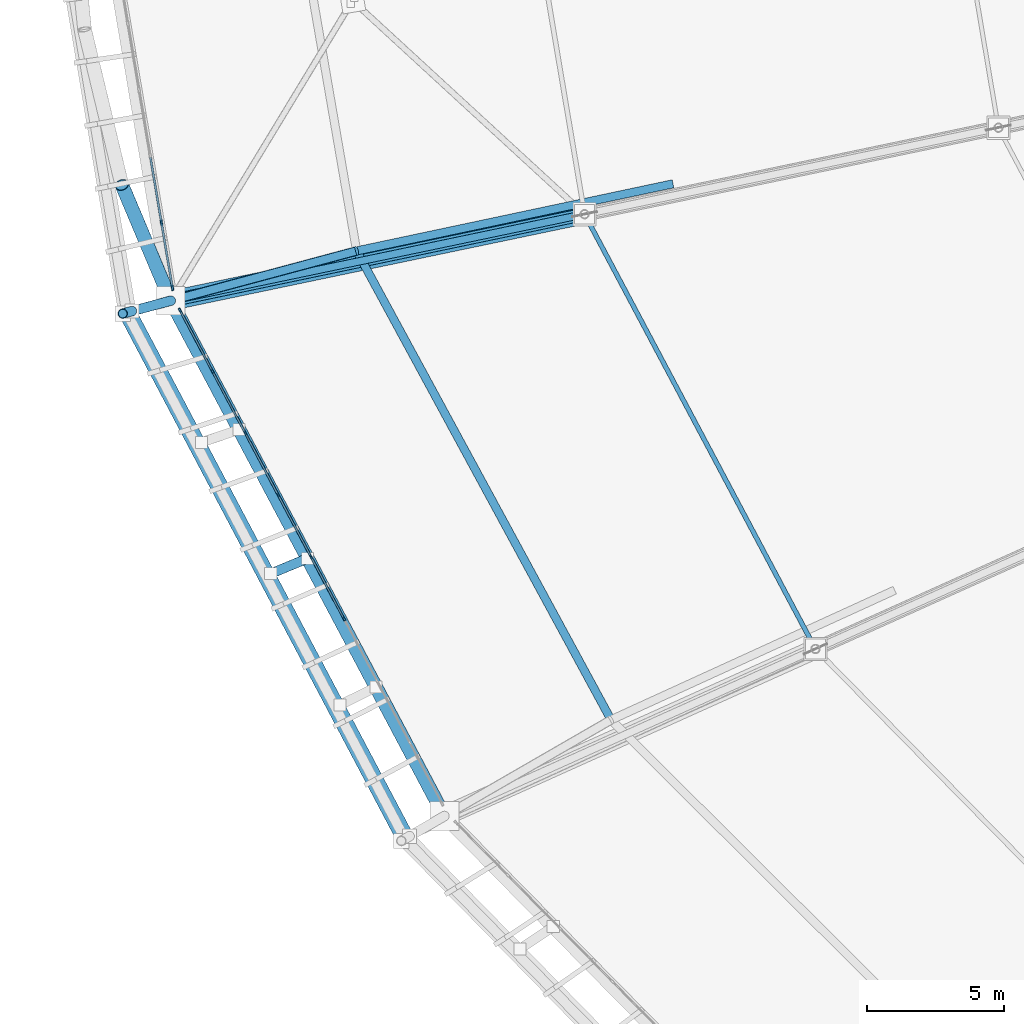
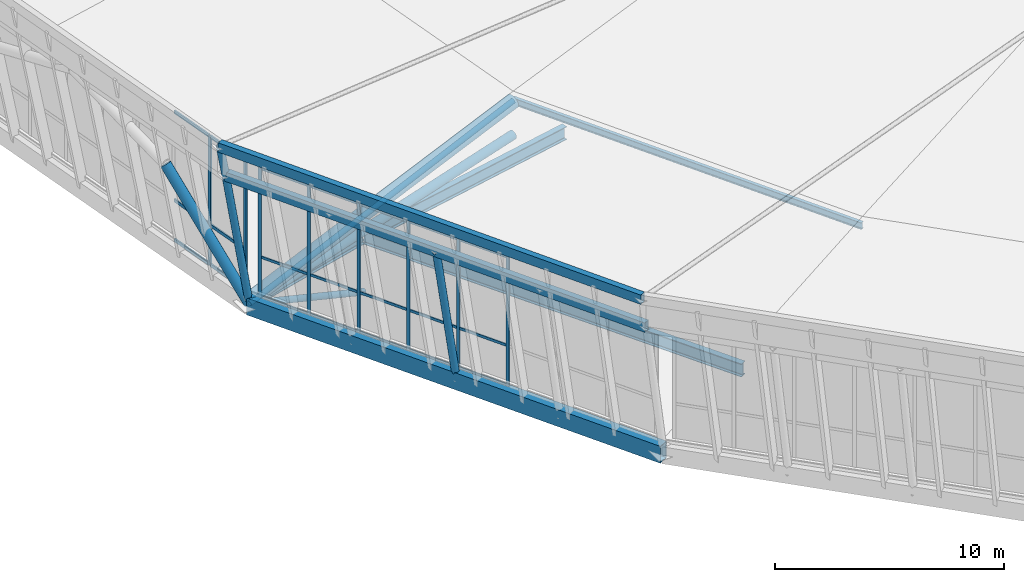
# One storey, part 7 of 115: 38 members, 6 beams, 2 elements without a shape of their own.
"""IFC4 building model written with IfcOpenShell, lengths in metres."""

from ifc_helpers import new_model, si_unit, direction, frame, origin, origin_2d, place, context, subcontext, project, spatial, rectangle, hollow_rectangle, hollow_circle, i_section, extrude, material, material_profile, profile_set, type_object, element, aggregate, save


model = new_model("IFC4")

# Units and contexts
model_context = context("Model", 3, precision=1e-05, world=origin(), true_north=direction((0.0, 1.0)))
body_context = subcontext(model_context, "Body", "Model", "MODEL_VIEW")
ifc_project = project(units=[si_unit("LENGTHUNIT", "METRE"), si_unit("AREAUNIT", "SQUARE_METRE"), si_unit("VOLUMEUNIT", "CUBIC_METRE"), si_unit("PLANEANGLEUNIT", "RADIAN"), si_unit("MASSUNIT", "GRAM", prefix="KILO")], contexts=[model_context])

# Site, building, storey
site_placement = place(None, origin())
site = spatial("IfcSite", under=ifc_project, at=site_placement, CompositionType="ELEMENT")
building_placement = place(site_placement, origin())
building = spatial("IfcBuilding", under=site, at=building_placement, Name="Zlatoyarsky Gate Stadium", CompositionType="ELEMENT")
storey_placement = place(building_placement, frame((0.0, 0.0, 31.800048828125)))
storey = spatial("IfcBuildingStorey", under=building, at=storey_placement, Name="RF", CompositionType="ELEMENT", Elevation=31.800048828125)

# Curtain wall, members
ifc_material_1 = material(Name="Thermally broken anodised aluminium curtain wall", Category="aluminium")
curtain_wall_type_1 = type_object("IfcCurtainWallType", Name="MONUMENTAL ARCHED GATE GLAZING UPPER", PredefinedType="USERDEFINED", material=ifc_material_1)
curtain_wall_1_placement = place(storey_placement, origin())
curtain_wall_1 = element("IfcCurtainWall", 1, at=curtain_wall_1_placement, inside=storey, type_object=curtain_wall_type_1, Name="Curtain wall CW-RF-12", ObjectType="ARCHED GATE GLAZING", PredefinedType="USERDEFINED")
ifc_material_2 = material(Name="Anodised aluminium 6063-T6", Category="aluminium")
ifc_material_profile_1 = material_profile(ifc_material_2, rectangle(XDim=0.074951171875, YDim=0.18994140625, at=origin_2d()), Name="ALU 75X190")
ifc_profile_set_1 = profile_set([ifc_material_profile_1], Name="Anodised aluminium 6063-T6")
member_type_1 = type_object("IfcMemberType", Name="ALUMINIUM GATE MULLION 75X190", PredefinedType="MULLION", material=ifc_profile_set_1)
member_1_placement = place(storey_placement, frame((14.04052734375, 62.65673828125, 0.0), z_axis=(0.0, 0.0, 1.0), x_axis=(0.986044463486, 0.166482179311, 0.0)))
member_1 = element("IfcMember", 2, at=member_1_placement, type_object=member_type_1, Name="CW-AG2 mullion 8", PredefinedType="MULLION", context=body_context, shape_type="SweptSolid", body=[
    extrude(rectangle(XDim=0.074951171875, YDim=0.18994140625, at=origin_2d()), origin(), (0.0, 0.0, 1.0), 6.89990234375),
])
member_2_placement = place(storey_placement, frame((14.443115234375, 60.2724609375, 0.0), z_axis=(0.0, 0.0, 1.0), x_axis=(0.986044463486, 0.166482179311, 0.0)))
member_2 = element("IfcMember", 3, at=member_2_placement, type_object=member_type_1, Name="CW-AG2 mullion 9", PredefinedType="MULLION", context=body_context, shape_type="SweptSolid", body=[
    extrude(rectangle(XDim=0.074951171875, YDim=0.18994140625, at=origin_2d()), origin(), (0.0, 0.0, 1.0), 6.89990234375),
])
ifc_material_profile_2 = material_profile(ifc_material_2, rectangle(XDim=0.074951171875, YDim=0.169921875, at=origin_2d()), Name="ALU 75X170")
ifc_profile_set_2 = profile_set([ifc_material_profile_2], Name="Anodised aluminium 6063-T6")
member_type_2 = type_object("IfcMemberType", Name="ALUMINIUM GATE TRANSOM 75X170", PredefinedType="USERDEFINED", material=ifc_profile_set_2)
member_3_placement = place(storey_placement, frame((13.637939453125, 65.041015625, 0.037353515625), z_axis=(0.166560710498, -0.986031201189, 0.0), x_axis=(0.986031201189, 0.166560710498, 0.0)))
member_3 = element("IfcMember", 4, at=member_3_placement, type_object=member_type_2, Name="CW-AG2 transom 7.1", ObjectType="TRANSOM", PredefinedType="USERDEFINED", context=body_context, shape_type="SweptSolid", body=[
    extrude(rectangle(XDim=0.074951171875, YDim=0.169921875, at=origin_2d()), origin(), (0.0, 0.0, 1.0), 2.38037109375),
])
member_4_placement = place(storey_placement, frame((13.637939453125, 65.041015625, 2.14990234375), z_axis=(0.166560710498, -0.986031201189, 0.0), x_axis=(0.986031201189, 0.166560710498, 0.0)))
member_4 = element("IfcMember", 5, at=member_4_placement, type_object=member_type_2, Name="CW-AG2 transom 7.2", ObjectType="TRANSOM", PredefinedType="USERDEFINED", context=body_context, shape_type="SweptSolid", body=[
    extrude(rectangle(XDim=0.074951171875, YDim=0.169921875, at=origin_2d()), origin(), (0.0, 0.0, 1.0), 2.38037109375),
])
member_5_placement = place(storey_placement, frame((13.637939453125, 65.041015625, 6.862548828125), z_axis=(0.166560710498, -0.986031201189, 0.0), x_axis=(0.986031201189, 0.166560710498, 0.0)))
member_5 = element("IfcMember", 6, at=member_5_placement, type_object=member_type_2, Name="CW-AG2 transom 7.3", ObjectType="TRANSOM", PredefinedType="USERDEFINED", context=body_context, shape_type="SweptSolid", body=[
    extrude(rectangle(XDim=0.074951171875, YDim=0.169921875, at=origin_2d()), origin(), (0.0, 0.0, 1.0), 2.38037109375),
])
member_6_placement = place(storey_placement, frame((14.046875, 62.619873046875, 0.037353515625), z_axis=(0.166510761943, -0.986039637214, 0.0), x_axis=(0.986039637214, 0.166510761943, 0.0)))
member_6 = element("IfcMember", 7, at=member_6_placement, type_object=member_type_2, Name="CW-AG2 transom 8.1", ObjectType="TRANSOM", PredefinedType="USERDEFINED", context=body_context, shape_type="SweptSolid", body=[
    extrude(rectangle(XDim=0.074951171875, YDim=0.169921875, at=origin_2d()), origin(), (0.0, 0.0, 1.0), 2.343017578125),
])
member_7_placement = place(storey_placement, frame((14.046875, 62.619873046875, 2.14990234375), z_axis=(0.166510761943, -0.986039637214, 0.0), x_axis=(0.986039637214, 0.166510761943, 0.0)))
member_7 = element("IfcMember", 8, at=member_7_placement, type_object=member_type_2, Name="CW-AG2 transom 8.2", ObjectType="TRANSOM", PredefinedType="USERDEFINED", context=body_context, shape_type="SweptSolid", body=[
    extrude(rectangle(XDim=0.074951171875, YDim=0.169921875, at=origin_2d()), origin(), (0.0, 0.0, 1.0), 2.343017578125),
])
member_8_placement = place(storey_placement, frame((14.046875, 62.619873046875, 6.862548828125), z_axis=(0.166510761943, -0.986039637214, 0.0), x_axis=(0.986039637214, 0.166510761943, 0.0)))
member_8 = element("IfcMember", 9, at=member_8_placement, type_object=member_type_2, Name="CW-AG2 transom 8.3", ObjectType="TRANSOM", PredefinedType="USERDEFINED", context=body_context, shape_type="SweptSolid", body=[
    extrude(rectangle(XDim=0.074951171875, YDim=0.169921875, at=origin_2d()), origin(), (0.0, 0.0, 1.0), 2.343017578125),
])
aggregate(curtain_wall_1, [member_1, member_2, member_3, member_4, member_5, member_6, member_7, member_8])

curtain_wall_type_2 = type_object("IfcCurtainWallType", Name="UNITISED SKYBOX RING GLAZING L05", PredefinedType="USERDEFINED", material=ifc_material_1)
curtain_wall_2_placement = place(storey_placement, origin())
curtain_wall_2 = element("IfcCurtainWall", 10, at=curtain_wall_2_placement, inside=storey, type_object=curtain_wall_type_2, Name="Curtain wall CW-RF-13", ObjectType="UNITISED GLAZING", PredefinedType="USERDEFINED")
ifc_material_profile_3 = material_profile(ifc_material_2, rectangle(XDim=0.06494140625, YDim=0.159912109375, at=origin_2d()), Name="ALU 65X160")
ifc_profile_set_3 = profile_set([ifc_material_profile_3], Name="Anodised aluminium 6063-T6")
member_type_3 = type_object("IfcMemberType", Name="ALUMINIUM MULLION 65X160", PredefinedType="MULLION", material=ifc_profile_set_3)
member_9_placement = place(storey_placement, frame((14.718994140625, 59.459228515625, 0.0), z_axis=(0.0, 0.0, 1.0), x_axis=(0.883130898599, 0.469126652345, 0.0)))
member_9 = element("IfcMember", 11, at=member_9_placement, type_object=member_type_3, Name="CW-UG5 mullion 1", PredefinedType="MULLION", context=body_context, shape_type="SweptSolid", body=[
    extrude(rectangle(XDim=0.06494140625, YDim=0.159912109375, at=origin_2d()), origin(), (0.0, 0.0, 1.0), 6.89990234375),
])
member_10_placement = place(storey_placement, frame((15.904052734375, 57.22802734375, 0.0), z_axis=(0.0, 0.0, 1.0), x_axis=(0.883130898599, 0.469126652345, 0.0)))
member_10 = element("IfcMember", 12, at=member_10_placement, type_object=member_type_3, Name="CW-UG5 mullion 2", PredefinedType="MULLION", context=body_context, shape_type="SweptSolid", body=[
    extrude(rectangle(XDim=0.06494140625, YDim=0.159912109375, at=origin_2d()), origin(), (0.0, 0.0, 1.0), 6.89990234375),
])
member_11_placement = place(storey_placement, frame((17.1044921875, 54.96826171875, 0.0), z_axis=(0.0, 0.0, 1.0), x_axis=(0.883130898599, 0.469126652345, 0.0)))
member_11 = element("IfcMember", 13, at=member_11_placement, type_object=member_type_3, Name="CW-UG5 mullion 3", PredefinedType="MULLION", context=body_context, shape_type="SweptSolid", body=[
    extrude(rectangle(XDim=0.06494140625, YDim=0.159912109375, at=origin_2d()), origin(), (0.0, 0.0, 1.0), 6.89990234375),
])
member_12_placement = place(storey_placement, frame((18.304931640625, 52.70849609375, 0.0), z_axis=(0.0, 0.0, 1.0), x_axis=(0.883130898599, 0.469126652345, 0.0)))
member_12 = element("IfcMember", 14, at=member_12_placement, type_object=member_type_3, Name="CW-UG5 mullion 4", PredefinedType="MULLION", context=body_context, shape_type="SweptSolid", body=[
    extrude(rectangle(XDim=0.06494140625, YDim=0.159912109375, at=origin_2d()), origin(), (0.0, 0.0, 1.0), 6.89990234375),
])
member_13_placement = place(storey_placement, frame((19.50537109375, 50.44873046875, 0.0), z_axis=(0.0, 0.0, 1.0), x_axis=(0.883130898599, 0.469126652345, 0.0)))
member_13 = element("IfcMember", 15, at=member_13_placement, type_object=member_type_3, Name="CW-UG5 mullion 5", PredefinedType="MULLION", context=body_context, shape_type="SweptSolid", body=[
    extrude(rectangle(XDim=0.06494140625, YDim=0.159912109375, at=origin_2d()), origin(), (0.0, 0.0, 1.0), 6.89990234375),
])
member_14_placement = place(storey_placement, frame((20.705810546875, 48.18896484375, 0.0), z_axis=(0.0, 0.0, 1.0), x_axis=(0.883130898599, 0.469126652345, 0.0)))
member_14 = element("IfcMember", 16, at=member_14_placement, type_object=member_type_3, Name="CW-UG5 mullion 6", PredefinedType="MULLION", context=body_context, shape_type="SweptSolid", body=[
    extrude(rectangle(XDim=0.06494140625, YDim=0.159912109375, at=origin_2d()), origin(), (0.0, 0.0, 1.0), 6.89990234375),
])
ifc_material_profile_4 = material_profile(ifc_material_2, rectangle(XDim=0.06494140625, YDim=0.139892578125, at=origin_2d()), Name="ALU 65X140")
ifc_profile_set_4 = profile_set([ifc_material_profile_4], Name="Anodised aluminium 6063-T6")
member_type_4 = type_object("IfcMemberType", Name="ALUMINIUM TRANSOM 65X140", PredefinedType="USERDEFINED", material=ifc_profile_set_4)
member_15_placement = place(storey_placement, frame((14.734130859375, 59.430419921875, 0.032470703125), z_axis=(0.469176983035, -0.883104160669, 0.0), x_axis=(0.883104160669, 0.469176983035, 0.0)))
member_15 = element("IfcMember", 17, at=member_15_placement, type_object=member_type_4, Name="CW-UG5 transom 1.1", ObjectType="TRANSOM", PredefinedType="USERDEFINED", context=body_context, shape_type="SweptSolid", body=[
    extrude(rectangle(XDim=0.06494140625, YDim=0.139892578125, at=origin_2d()), origin(), (0.0, 0.0, 1.0), 2.461181640625),
])
member_16_placement = place(storey_placement, frame((14.734130859375, 59.430419921875, 2.14990234375), z_axis=(0.469176983035, -0.883104160669, 0.0), x_axis=(0.883104160669, 0.469176983035, 0.0)))
member_16 = element("IfcMember", 18, at=member_16_placement, type_object=member_type_4, Name="CW-UG5 transom 1.2", ObjectType="TRANSOM", PredefinedType="USERDEFINED", context=body_context, shape_type="SweptSolid", body=[
    extrude(rectangle(XDim=0.06494140625, YDim=0.139892578125, at=origin_2d()), origin(), (0.0, 0.0, 1.0), 2.461181640625),
])
member_17_placement = place(storey_placement, frame((14.734130859375, 59.430419921875, 6.867431640625), z_axis=(0.469176983035, -0.883104160669, 0.0), x_axis=(0.883104160669, 0.469176983035, 0.0)))
member_17 = element("IfcMember", 19, at=member_17_placement, type_object=member_type_4, Name="CW-UG5 transom 1.3", ObjectType="TRANSOM", PredefinedType="USERDEFINED", context=body_context, shape_type="SweptSolid", body=[
    extrude(rectangle(XDim=0.06494140625, YDim=0.139892578125, at=origin_2d()), origin(), (0.0, 0.0, 1.0), 2.461181640625),
])
member_18_placement = place(storey_placement, frame((15.91943359375, 57.199462890625, 0.032470703125), z_axis=(0.469124208683, -0.883132196688, 0.0), x_axis=(0.883132196688, 0.469124208683, 0.0)))
member_18 = element("IfcMember", 20, at=member_18_placement, type_object=member_type_4, Name="CW-UG5 transom 2.1", ObjectType="TRANSOM", PredefinedType="USERDEFINED", context=body_context, shape_type="SweptSolid", body=[
    extrude(rectangle(XDim=0.06494140625, YDim=0.139892578125, at=origin_2d()), origin(), (0.0, 0.0, 1.0), 2.493896484375),
])
member_19_placement = place(storey_placement, frame((15.91943359375, 57.199462890625, 2.14990234375), z_axis=(0.469124208683, -0.883132196688, 0.0), x_axis=(0.883132196688, 0.469124208683, 0.0)))
member_19 = element("IfcMember", 21, at=member_19_placement, type_object=member_type_4, Name="CW-UG5 transom 2.2", ObjectType="TRANSOM", PredefinedType="USERDEFINED", context=body_context, shape_type="SweptSolid", body=[
    extrude(rectangle(XDim=0.06494140625, YDim=0.139892578125, at=origin_2d()), origin(), (0.0, 0.0, 1.0), 2.493896484375),
])
member_20_placement = place(storey_placement, frame((15.91943359375, 57.199462890625, 6.867431640625), z_axis=(0.469124208683, -0.883132196688, 0.0), x_axis=(0.883132196688, 0.469124208683, 0.0)))
member_20 = element("IfcMember", 22, at=member_20_placement, type_object=member_type_4, Name="CW-UG5 transom 2.3", ObjectType="TRANSOM", PredefinedType="USERDEFINED", context=body_context, shape_type="SweptSolid", body=[
    extrude(rectangle(XDim=0.06494140625, YDim=0.139892578125, at=origin_2d()), origin(), (0.0, 0.0, 1.0), 2.493896484375),
])
member_21_placement = place(storey_placement, frame((17.119873046875, 54.939697265625, 0.032470703125), z_axis=(0.469124208683, -0.883132196688, 0.0), x_axis=(0.883132196688, 0.469124208683, 0.0)))
member_21 = element("IfcMember", 23, at=member_21_placement, type_object=member_type_4, Name="CW-UG5 transom 3.1", ObjectType="TRANSOM", PredefinedType="USERDEFINED", context=body_context, shape_type="SweptSolid", body=[
    extrude(rectangle(XDim=0.06494140625, YDim=0.139892578125, at=origin_2d()), origin(), (0.0, 0.0, 1.0), 2.493896484375),
])
member_22_placement = place(storey_placement, frame((17.119873046875, 54.939697265625, 2.14990234375), z_axis=(0.469124208683, -0.883132196688, 0.0), x_axis=(0.883132196688, 0.469124208683, 0.0)))
member_22 = element("IfcMember", 24, at=member_22_placement, type_object=member_type_4, Name="CW-UG5 transom 3.2", ObjectType="TRANSOM", PredefinedType="USERDEFINED", context=body_context, shape_type="SweptSolid", body=[
    extrude(rectangle(XDim=0.06494140625, YDim=0.139892578125, at=origin_2d()), origin(), (0.0, 0.0, 1.0), 2.493896484375),
])
member_23_placement = place(storey_placement, frame((17.119873046875, 54.939697265625, 6.867431640625), z_axis=(0.469124208683, -0.883132196688, 0.0), x_axis=(0.883132196688, 0.469124208683, 0.0)))
member_23 = element("IfcMember", 25, at=member_23_placement, type_object=member_type_4, Name="CW-UG5 transom 3.3", ObjectType="TRANSOM", PredefinedType="USERDEFINED", context=body_context, shape_type="SweptSolid", body=[
    extrude(rectangle(XDim=0.06494140625, YDim=0.139892578125, at=origin_2d()), origin(), (0.0, 0.0, 1.0), 2.493896484375),
])
member_24_placement = place(storey_placement, frame((18.3203125, 52.6796875, 0.032470703125), z_axis=(0.469124208683, -0.883132196688, 0.0), x_axis=(0.883132196688, 0.469124208683, 0.0)))
member_24 = element("IfcMember", 26, at=member_24_placement, type_object=member_type_4, Name="CW-UG5 transom 4.1", ObjectType="TRANSOM", PredefinedType="USERDEFINED", context=body_context, shape_type="SweptSolid", body=[
    extrude(rectangle(XDim=0.06494140625, YDim=0.139892578125, at=origin_2d()), origin(), (0.0, 0.0, 1.0), 2.493896484375),
])
member_25_placement = place(storey_placement, frame((18.3203125, 52.6796875, 2.14990234375), z_axis=(0.469124208683, -0.883132196688, 0.0), x_axis=(0.883132196688, 0.469124208683, 0.0)))
member_25 = element("IfcMember", 27, at=member_25_placement, type_object=member_type_4, Name="CW-UG5 transom 4.2", ObjectType="TRANSOM", PredefinedType="USERDEFINED", context=body_context, shape_type="SweptSolid", body=[
    extrude(rectangle(XDim=0.06494140625, YDim=0.139892578125, at=origin_2d()), origin(), (0.0, 0.0, 1.0), 2.493896484375),
])
member_26_placement = place(storey_placement, frame((18.3203125, 52.6796875, 6.867431640625), z_axis=(0.469124208683, -0.883132196688, 0.0), x_axis=(0.883132196688, 0.469124208683, 0.0)))
member_26 = element("IfcMember", 28, at=member_26_placement, type_object=member_type_4, Name="CW-UG5 transom 4.3", ObjectType="TRANSOM", PredefinedType="USERDEFINED", context=body_context, shape_type="SweptSolid", body=[
    extrude(rectangle(XDim=0.06494140625, YDim=0.139892578125, at=origin_2d()), origin(), (0.0, 0.0, 1.0), 2.493896484375),
])
member_27_placement = place(storey_placement, frame((19.520751953125, 50.419921875, 0.032470703125), z_axis=(0.469124208683, -0.883132196688, 0.0), x_axis=(0.883132196688, 0.469124208683, 0.0)))
member_27 = element("IfcMember", 29, at=member_27_placement, type_object=member_type_4, Name="CW-UG5 transom 5.1", ObjectType="TRANSOM", PredefinedType="USERDEFINED", context=body_context, shape_type="SweptSolid", body=[
    extrude(rectangle(XDim=0.06494140625, YDim=0.139892578125, at=origin_2d()), origin(), (0.0, 0.0, 1.0), 2.493896484375),
])
member_28_placement = place(storey_placement, frame((19.520751953125, 50.419921875, 2.14990234375), z_axis=(0.469124208683, -0.883132196688, 0.0), x_axis=(0.883132196688, 0.469124208683, 0.0)))
member_28 = element("IfcMember", 30, at=member_28_placement, type_object=member_type_4, Name="CW-UG5 transom 5.2", ObjectType="TRANSOM", PredefinedType="USERDEFINED", context=body_context, shape_type="SweptSolid", body=[
    extrude(rectangle(XDim=0.06494140625, YDim=0.139892578125, at=origin_2d()), origin(), (0.0, 0.0, 1.0), 2.493896484375),
])
member_29_placement = place(storey_placement, frame((19.520751953125, 50.419921875, 6.867431640625), z_axis=(0.469124208683, -0.883132196688, 0.0), x_axis=(0.883132196688, 0.469124208683, 0.0)))
member_29 = element("IfcMember", 31, at=member_29_placement, type_object=member_type_4, Name="CW-UG5 transom 5.3", ObjectType="TRANSOM", PredefinedType="USERDEFINED", context=body_context, shape_type="SweptSolid", body=[
    extrude(rectangle(XDim=0.06494140625, YDim=0.139892578125, at=origin_2d()), origin(), (0.0, 0.0, 1.0), 2.493896484375),
])
aggregate(curtain_wall_2, [member_9, member_10, member_11, member_12, member_13, member_14, member_15, member_16, member_17, member_18, member_19, member_20, member_21, member_22, member_23, member_24, member_25, member_26, member_27, member_28, member_29])

# Members
ifc_material_3 = material(Name="Steel S355", Category="steel")
ifc_material_profile_5 = material_profile(ifc_material_3, hollow_circle(Radius=0.228515625, WallThickness=0.02490234375, at=origin_2d()), Name="CHS 457X25")
ifc_profile_set_5 = profile_set([ifc_material_profile_5], Name="Steel S355")
member_type_5 = type_object("IfcMemberType", Name="STEEL ARCH BOTTOM CHORD CHS 457X25", PredefinedType="CHORD", material=ifc_profile_set_5)
member_30_placement = place(storey_placement, frame((14.380859375, 59.804931640625, -0.449951171875), z_axis=(0.972261655256, 0.203217530237, 0.115801162009), x_axis=(-0.2045939534, 0.978846930951, 0.0)))
element("IfcMember", 32, at=member_30_placement, inside=storey, type_object=member_type_5, Name="Radial truss R14 bottom chord 1", PredefinedType="CHORD", context=body_context, shape_type="SweptSolid", body=[
    extrude(hollow_circle(Radius=0.228515625, WallThickness=0.02490234375, at=origin_2d()), origin(), (0.0, 0.0, 1.0), 15.542236328125),
])
ifc_material_profile_6 = material_profile(ifc_material_3, hollow_circle(Radius=0.25390625, WallThickness=0.02490234375, at=origin_2d()), Name="CHS 508X25")
ifc_profile_set_6 = profile_set([ifc_material_profile_6], Name="Steel S355")
member_type_6 = type_object("IfcMemberType", Name="STEEL ARCH TOP CHORD CHS 508X25", PredefinedType="CHORD", material=ifc_profile_set_6)
member_31_placement = place(storey_placement, frame((12.596923828125, 64.033447265625, 5.050048828125), z_axis=(0.249038463236, -0.590303295915, -0.767803270806), x_axis=(0.921361779506, 0.38870615028, 0.0)))
element("IfcMember", 33, at=member_31_placement, inside=storey, type_object=member_type_6, Name="Monumental gate portal arch chord 12-4", PredefinedType="CHORD", context=body_context, shape_type="SweptSolid", body=[
    extrude(hollow_circle(Radius=0.25390625, WallThickness=0.02490234375, at=origin_2d()), origin(), (0.0, 0.0, 1.0), 7.163330078125),
])
ifc_material_profile_7 = material_profile(ifc_material_3, hollow_circle(Radius=0.35546875, WallThickness=0.031982421875, at=origin_2d()), Name="CHS 711X32")
ifc_profile_set_7 = profile_set([ifc_material_profile_7], Name="Steel S355")
member_type_7 = type_object("IfcMemberType", Name="STEEL ARCH TOP CHORD CHS 711X32", PredefinedType="CHORD", material=ifc_profile_set_7)
member_32_placement = place(storey_placement, frame((14.380859375, 59.804931640625, -0.25), z_axis=(0.955938348937, 0.199805709996, 0.215080336817), x_axis=(-0.2045939534, 0.978846930951, 0.0)))
element("IfcMember", 34, at=member_32_placement, inside=storey, type_object=member_type_7, Name="Radial truss R14 top chord 1", PredefinedType="CHORD", context=body_context, shape_type="SweptSolid", body=[
    extrude(hollow_circle(Radius=0.35546875, WallThickness=0.031982421875, at=origin_2d()), origin(), (0.0, 0.0, 1.0), 15.8076171875),
])
ifc_material_profile_8 = material_profile(ifc_material_3, hollow_circle(Radius=0.177734375, WallThickness=0.02001953125, at=origin_2d()), Name="CHS 355.6X20")
ifc_profile_set_8 = profile_set([ifc_material_profile_8], Name="Steel S355")
member_type_8 = type_object("IfcMemberType", Name="STEEL LEANING RIB RING STRUT CHS 355.6X20", PredefinedType="STRUT", material=ifc_profile_set_8)
member_33_placement = place(storey_placement, frame((14.380859375, 59.804931640625, -0.449951171875), z_axis=(-0.183161786011, -0.049078653183, 0.981856937617), x_axis=(0.258821999954, -0.965925034534, 0.0)))
element("IfcMember", 35, at=member_33_placement, inside=storey, type_object=member_type_8, Name="Outward-leaning crown fascia lower post 13", PredefinedType="STRUT", context=body_context, shape_type="SweptSolid", body=[
    extrude(hollow_circle(Radius=0.177734375, WallThickness=0.02001953125, at=origin_2d()), origin(), (0.0, 0.0, 1.0), 7.740234375),
])
member_34_placement = place(storey_placement, frame((12.963134765625, 59.425048828125, 7.14990234375), z_axis=(-0.194145508575, -0.052053505922, 0.979590707398), x_axis=(0.258969313954, -0.965885549343, 0.0)))
element("IfcMember", 36, at=member_34_placement, inside=storey, type_object=member_type_8, Name="Outward-leaning crown fascia upper post 13", PredefinedType="STRUT", context=body_context, shape_type="SweptSolid", body=[
    extrude(hollow_circle(Radius=0.177734375, WallThickness=0.02001953125, at=origin_2d()), origin(), (0.0, 0.0, 1.0), 1.7353515625),
])
member_35_placement = place(storey_placement, frame((19.377197265625, 50.3955078125, -0.449951171875), z_axis=(-0.173752651078, -0.071936815772, 0.982158393936), x_axis=(0.382529611327, -0.92394323227, 0.0)))
element("IfcMember", 37, at=member_35_placement, inside=storey, type_object=member_type_8, Name="Outward-leaning bowl louvre fin rib RF 13-2", PredefinedType="STRUT", context=body_context, shape_type="SweptSolid", body=[
    extrude(hollow_circle(Radius=0.177734375, WallThickness=0.02001953125, at=origin_2d()), origin(), (0.0, 0.0, 1.0), 7.73779296875),
])
ifc_material_profile_9 = material_profile(ifc_material_3, i_section(OverallWidth=0.169921875, OverallDepth=0.360107421875, WebThickness=0.008056640625, FlangeThickness=0.0126953125, FilletRadius=0.01806640625, at=origin_2d()), Name="IPE 360")
ifc_profile_set_9 = profile_set([ifc_material_profile_9], Name="Steel S355")
member_type_9 = type_object("IfcMemberType", Name="STEEL LONG SPAN PURLIN IPE 360", PredefinedType="PURLIN", material=ifc_profile_set_9)
member_36_placement = place(storey_placement, frame((29.491943359375, 62.96337890625, 3.179931640625), z_axis=(0.46898507061, -0.883206093471, 0.0), x_axis=(0.883206093471, 0.46898507061, 0.0)))
element("IfcMember", 38, at=member_36_placement, inside=storey, type_object=member_type_9, Name="Stadium roof purlin 13.1", PredefinedType="PURLIN", context=body_context, shape_type="SweptSolid", body=[
    extrude(i_section(OverallWidth=0.169921875, OverallDepth=0.360107421875, WebThickness=0.008056640625, FlangeThickness=0.0126953125, FilletRadius=0.01806640625, at=origin_2d()), origin(), (0.0, 0.0, 1.0), 17.974853515625),
])

# Beams
ifc_material_profile_10 = material_profile(ifc_material_3, hollow_rectangle(XDim=0.300048828125, YDim=0.5, WallThickness=0.02001953125, at=origin_2d()), Name="RHS 500X300X20")
ifc_profile_set_10 = profile_set([ifc_material_profile_10], Name="Steel S355")
beam_type_1 = type_object("IfcBeamType", Name="STEEL LOUVRE CARRIER SPANDREL RHS 500X300X20", PredefinedType="SPANDREL", material=ifc_profile_set_10)
beam_1_placement = place(storey_placement, frame((12.963134765625, 59.425048828125, 7.14990234375), z_axis=(0.467498743631, -0.88399373567, 0.0), x_axis=(0.88399373567, 0.467498743631, 0.0)))
element("IfcBeam", 39, at=beam_1_placement, inside=storey, type_object=beam_type_1, Name="Crown eaves fascia bottom carrier spandrel 13", PredefinedType="SPANDREL", context=body_context, shape_type="SweptSolid", body=[
    extrude(hollow_rectangle(XDim=0.300048828125, YDim=0.5, WallThickness=0.02001953125, at=origin_2d()), origin(), (0.0, 0.0, 1.0), 21.688720703125),
])
beam_2_placement = place(storey_placement, frame((12.626220703125, 59.334716796875, 8.849853515625), z_axis=(0.467144347862, -0.884181066445, 0.0), x_axis=(0.884181066445, 0.467144347862, 0.0)))
element("IfcBeam", 40, at=beam_2_placement, inside=storey, type_object=beam_type_1, Name="Crown fascia top carrier spandrel 13", PredefinedType="SPANDREL", context=body_context, shape_type="SweptSolid", body=[
    extrude(hollow_rectangle(XDim=0.300048828125, YDim=0.5, WallThickness=0.02001953125, at=origin_2d()), origin(), (0.0, 0.0, 1.0), 21.779296875),
])
ifc_material_profile_11 = material_profile(ifc_material_3, hollow_rectangle(XDim=0.5, YDim=0.89990234375, WallThickness=0.028076171875, at=origin_2d()), Name="RHS 900X500X28")
ifc_profile_set_11 = profile_set([ifc_material_profile_11], Name="Steel S355")
beam_type_2 = type_object("IfcBeamType", Name="STEEL OUTER COMPRESSION RING BEAM RHS 900X500X28", PredefinedType="USERDEFINED", material=ifc_profile_set_11)
beam_3_placement = place(storey_placement, frame((14.380859375, 59.804931640625, -0.449951171875), z_axis=(0.468978170829, -0.883209757241, 0.0), x_axis=(0.883209757241, 0.468978170829, 0.0)))
element("IfcBeam", 41, at=beam_3_placement, inside=storey, type_object=beam_type_2, Name="Outer compression ring beam 13", ObjectType="RING BEAM", PredefinedType="USERDEFINED", context=body_context, shape_type="SweptSolid", body=[
    extrude(hollow_rectangle(XDim=0.5, YDim=0.89990234375, WallThickness=0.028076171875, at=origin_2d()), origin(), (0.0, 0.0, 1.0), 21.307373046875),
])
ifc_material_profile_12 = material_profile(ifc_material_3, i_section(OverallWidth=0.300048828125, OverallDepth=0.699951171875, WebThickness=0.01708984375, FlangeThickness=0.031982421875, FilletRadius=0.027099609375, at=origin_2d()), Name="HEB 700")
ifc_profile_set_12 = profile_set([ifc_material_profile_12], Name="Steel S355")
beam_type_3 = type_object("IfcBeamType", Name="STEEL ROOF RING GIRDER HEB 700", PredefinedType="BEAM", material=ifc_profile_set_12)
beam_4_placement = place(storey_placement, frame((32.720947265625, 64.07421875, -0.300048828125), z_axis=(-0.978234125102, -0.207504208355, 0.0), x_axis=(0.207504208355, -0.978234125102, 0.0)))
element("IfcBeam", 42, at=beam_4_placement, inside=storey, type_object=beam_type_3, Name="RF roof tie girder BM-RF-RBC-13", PredefinedType="BEAM", context=body_context, shape_type="SweptSolid", body=[
    extrude(i_section(OverallWidth=0.300048828125, OverallDepth=0.699951171875, WebThickness=0.01708984375, FlangeThickness=0.031982421875, FilletRadius=0.027099609375, at=origin_2d()), origin(), (0.0, 0.0, 1.0), 11.76904296875),
])
beam_5_placement = place(storey_placement, frame((21.13037109375, 61.61328125, -0.300048828125), z_axis=(-0.965932144548, -0.258795463889, 0.0), x_axis=(0.258795463889, -0.965932144548, 0.0)))
element("IfcBeam", 43, at=beam_5_placement, inside=storey, type_object=beam_type_3, Name="RF roof tie girder BM-RF-COUT-13", PredefinedType="BEAM", context=body_context, shape_type="SweptSolid", body=[
    extrude(i_section(OverallWidth=0.300048828125, OverallDepth=0.699951171875, WebThickness=0.01708984375, FlangeThickness=0.031982421875, FilletRadius=0.027099609375, at=origin_2d()), origin(), (0.0, 0.0, 1.0), 6.987548828125),
])
beam_6_placement = place(storey_placement, frame((21.18798828125, 61.588623046875, -0.300048828125), z_axis=(0.476886635343, -0.878964809894, 0.0), x_axis=(0.878964809894, 0.476886635343, 0.0)))
element("IfcBeam", 44, at=beam_6_placement, inside=storey, type_object=beam_type_3, Name="RF roof tie girder BM-RF-CRC-13", PredefinedType="BEAM", context=body_context, shape_type="SweptSolid", body=[
    extrude(i_section(OverallWidth=0.300048828125, OverallDepth=0.699951171875, WebThickness=0.01708984375, FlangeThickness=0.031982421875, FilletRadius=0.027099609375, at=origin_2d()), origin(), (0.0, 0.0, 1.0), 19.40185546875),
])

# Members
ifc_material_profile_13 = material_profile(ifc_material_3, hollow_circle(Radius=0.136474609375, WallThickness=0.01611328125, at=origin_2d()), Name="CHS 273X16")
ifc_profile_set_13 = profile_set([ifc_material_profile_13], Name="Steel S355")
member_type_10 = type_object("IfcMemberType", Name="STEEL ROOF TRUSS DIAGONAL CHS 273X16", PredefinedType="BRACE", material=ifc_profile_set_13)
member_37_placement = place(storey_placement, frame((14.380859375, 59.804931640625, -0.449951171875), z_axis=(0.953272377276, 0.199248481215, 0.227094291993), x_axis=(-0.2045939534, 0.978846930951, 0.0)))
element("IfcMember", 45, at=member_37_placement, inside=storey, type_object=member_type_10, Name="Radial truss R14 web diagonal 1", PredefinedType="BRACE", context=body_context, shape_type="SweptSolid", body=[
    extrude(hollow_circle(Radius=0.136474609375, WallThickness=0.01611328125, at=origin_2d()), origin(), (0.0, 0.0, 1.0), 15.851806640625),
])
ifc_material_profile_14 = material_profile(ifc_material_3, hollow_circle(Radius=0.161865234375, WallThickness=0.01611328125, at=origin_2d()), Name="CHS 323.9X16")
ifc_profile_set_14 = profile_set([ifc_material_profile_14], Name="Steel S355")
member_type_11 = type_object("IfcMemberType", Name="STEEL TRUSS WEB STRUT CHS 323.9X16", PredefinedType="STRUT", material=ifc_profile_set_14)
member_38_placement = place(storey_placement, frame((21.1689453125, 61.623779296875, -3.300048828125), z_axis=(-0.895113302245, -0.239842975893, 0.375829114171), x_axis=(0.258817121486, -0.965926341718, 0.0)))
element("IfcMember", 46, at=member_38_placement, inside=storey, type_object=member_type_11, Name="Arch heel prop 13", PredefinedType="STRUT", context=body_context, shape_type="SweptSolid", body=[
    extrude(hollow_circle(Radius=0.161865234375, WallThickness=0.01611328125, at=origin_2d()), origin(), (0.0, 0.0, 1.0), 7.58349609375),
])

save(model, "model.ifc")
